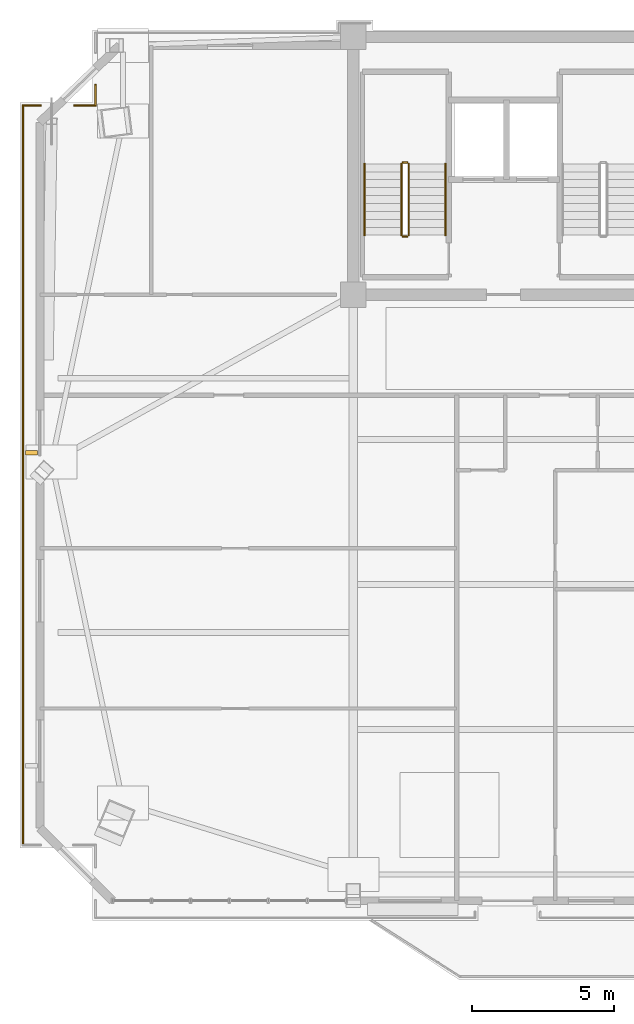
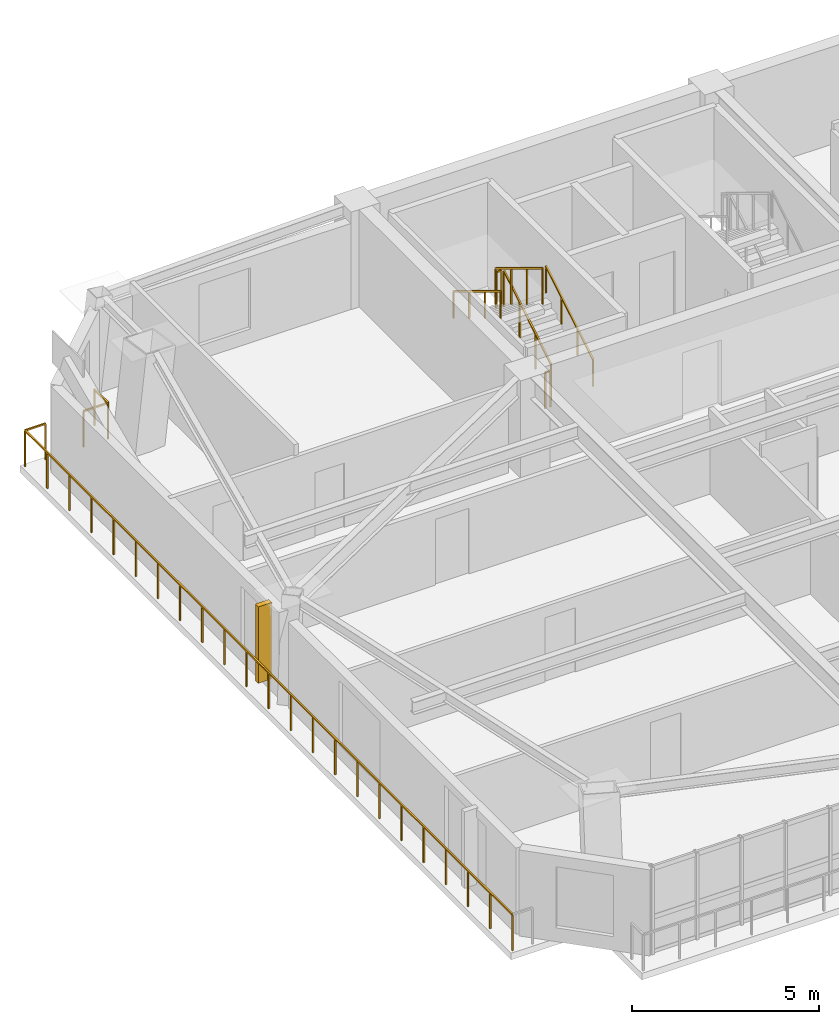
# One storey, part 15 of 18: 10 railings, 1 shading device.
"""IFC4 building model written with IfcOpenShell, lengths in metres."""

from ifc_helpers import new_model, si_unit, direction, frame, origin, origin_2d, place, context, subcontext, project, spatial, rectangle, extrude, source, transform, mapped, material, type_object, element, save


model = new_model("IFC4")

# Units and contexts
model_context = context("Model", 3, precision=1e-05, world=origin(), true_north=direction((0.0, 1.0)))
body_context = subcontext(model_context, "Body", "Model", "MODEL_VIEW")
ifc_project = project(units=[si_unit("LENGTHUNIT", "METRE"), si_unit("AREAUNIT", "SQUARE_METRE"), si_unit("VOLUMEUNIT", "CUBIC_METRE"), si_unit("PLANEANGLEUNIT", "RADIAN"), si_unit("MASSUNIT", "GRAM", prefix="KILO")], contexts=[model_context])

# Site, building, storey
site_placement = place(None, origin())
site = spatial("IfcSite", under=ifc_project, at=site_placement, CompositionType="ELEMENT")
building_placement = place(site_placement, origin())
building = spatial("IfcBuilding", under=site, at=building_placement, Name="Giltprow Tower", CompositionType="ELEMENT")
storey_placement = place(building_placement, frame((0.0, 0.0, 265.5)))
storey = spatial("IfcBuildingStorey", under=building, at=storey_placement, Name="L68", CompositionType="ELEMENT", Elevation=265.5)

# Railings
ifc_material = material(Name="Anodized bronze", Category="metal")
railing_type_1 = type_object("IfcRailingType", Name="RAIL-BALC-GUARD-1200", PredefinedType="BALUSTRADE", material=ifc_material)
railing_1_placement = place(storey_placement, frame((8.178955078125, 18.012939453125, 0.0)))
element("IfcRailing", 1, at=railing_1_placement, inside=storey, type_object=railing_type_1, Name="L68 Corner Apron Edge Balustrade 17", PredefinedType="BALUSTRADE", context=body_context, shape_type="SweptSolid", body=[
    extrude(rectangle(XDim=0.048095703125, YDim=0.048095703125, at=origin_2d()), frame((0.0, 0.0, 1.17578125), z_axis=(0.0, 1.0, 0.0), x_axis=(-1.0, 0.0, 0.0)), (0.0, 0.0, 1.0), 26.116943359375),
    extrude(rectangle(XDim=0.0419921875, YDim=0.0419921875, at=origin_2d()), origin(), (0.0, 0.0, 1.0), 1.15185546875),
    extrude(rectangle(XDim=0.0419921875, YDim=0.0419921875, at=origin_2d()), frame((0.0, 1.18701171875, 0.0)), (0.0, 0.0, 1.0), 1.15185546875),
    extrude(rectangle(XDim=0.0419921875, YDim=0.0419921875, at=origin_2d()), frame((0.0, 2.374267578125, 0.0)), (0.0, 0.0, 1.0), 1.15185546875),
    extrude(rectangle(XDim=0.0419921875, YDim=0.0419921875, at=origin_2d()), frame((0.0, 3.561279296875, 0.0)), (0.0, 0.0, 1.0), 1.15185546875),
    extrude(rectangle(XDim=0.0419921875, YDim=0.0419921875, at=origin_2d()), frame((0.0, 4.74853515625, 0.0)), (0.0, 0.0, 1.0), 1.15185546875),
    extrude(rectangle(XDim=0.0419921875, YDim=0.0419921875, at=origin_2d()), frame((0.0, 5.935546875, 0.0)), (0.0, 0.0, 1.0), 1.15185546875),
    extrude(rectangle(XDim=0.0419921875, YDim=0.0419921875, at=origin_2d()), frame((0.0, 7.122802734375, 0.0)), (0.0, 0.0, 1.0), 1.15185546875),
    extrude(rectangle(XDim=0.0419921875, YDim=0.0419921875, at=origin_2d()), frame((0.0, 8.31005859375, 0.0)), (0.0, 0.0, 1.0), 1.15185546875),
    extrude(rectangle(XDim=0.0419921875, YDim=0.0419921875, at=origin_2d()), frame((0.0, 9.4970703125, 0.0)), (0.0, 0.0, 1.0), 1.15185546875),
    extrude(rectangle(XDim=0.0419921875, YDim=0.0419921875, at=origin_2d()), frame((0.0, 10.68408203125, 0.0)), (0.0, 0.0, 1.0), 1.15185546875),
    extrude(rectangle(XDim=0.0419921875, YDim=0.0419921875, at=origin_2d()), frame((0.0, 11.871337890625, 0.0)), (0.0, 0.0, 1.0), 1.15185546875),
    extrude(rectangle(XDim=0.0419921875, YDim=0.0419921875, at=origin_2d()), frame((0.0, 13.05859375, 0.0)), (0.0, 0.0, 1.0), 1.15185546875),
    extrude(rectangle(XDim=0.0419921875, YDim=0.0419921875, at=origin_2d()), frame((0.0, 14.24560546875, 0.0)), (0.0, 0.0, 1.0), 1.15185546875),
    extrude(rectangle(XDim=0.0419921875, YDim=0.0419921875, at=origin_2d()), frame((0.0, 15.4326171875, 0.0)), (0.0, 0.0, 1.0), 1.15185546875),
    extrude(rectangle(XDim=0.0419921875, YDim=0.0419921875, at=origin_2d()), frame((0.0, 16.619873046875, 0.0)), (0.0, 0.0, 1.0), 1.15185546875),
    extrude(rectangle(XDim=0.0419921875, YDim=0.0419921875, at=origin_2d()), frame((0.0, 17.80712890625, 0.0)), (0.0, 0.0, 1.0), 1.15185546875),
    extrude(rectangle(XDim=0.0419921875, YDim=0.0419921875, at=origin_2d()), frame((0.0, 18.994140625, 0.0)), (0.0, 0.0, 1.0), 1.15185546875),
    extrude(rectangle(XDim=0.0419921875, YDim=0.0419921875, at=origin_2d()), frame((0.0, 20.18115234375, 0.0)), (0.0, 0.0, 1.0), 1.15185546875),
    extrude(rectangle(XDim=0.0419921875, YDim=0.0419921875, at=origin_2d()), frame((0.0, 21.368408203125, 0.0)), (0.0, 0.0, 1.0), 1.15185546875),
    extrude(rectangle(XDim=0.0419921875, YDim=0.0419921875, at=origin_2d()), frame((0.0, 22.5556640625, 0.0)), (0.0, 0.0, 1.0), 1.15185546875),
    extrude(rectangle(XDim=0.0419921875, YDim=0.0419921875, at=origin_2d()), frame((0.0, 23.74267578125, 0.0)), (0.0, 0.0, 1.0), 1.15185546875),
    extrude(rectangle(XDim=0.0419921875, YDim=0.0419921875, at=origin_2d()), frame((0.0, 24.9296875, 0.0)), (0.0, 0.0, 1.0), 1.15185546875),
    extrude(rectangle(XDim=0.0419921875, YDim=0.0419921875, at=origin_2d()), frame((0.0, 26.116943359375, 0.0)), (0.0, 0.0, 1.0), 1.15185546875),
])
railing_2_placement = place(storey_placement, frame((8.178955078125, 44.1298828125, 0.0)))
element("IfcRailing", 2, at=railing_2_placement, inside=storey, type_object=railing_type_1, Name="L68 Corner Apron Edge Balustrade 18", PredefinedType="BALUSTRADE", context=body_context, shape_type="SweptSolid", body=[
    extrude(rectangle(XDim=0.048095703125, YDim=0.048095703125, at=origin_2d()), frame((0.0, 0.0, 1.17578125), z_axis=(1.0, 0.0, 0.0), x_axis=(0.0, 1.0, 0.0)), (0.0, 0.0, 1.0), 0.631103515625),
    extrude(rectangle(XDim=0.0419921875, YDim=0.0419921875, at=origin_2d()), origin(), (0.0, 0.0, 1.0), 1.15185546875),
    extrude(rectangle(XDim=0.0419921875, YDim=0.0419921875, at=origin_2d()), frame((0.631103515625, 0.0, 0.0)), (0.0, 0.0, 1.0), 1.15185546875),
])
railing_3_placement = place(storey_placement, frame((9.990966796875, 44.1298828125, 0.0)))
element("IfcRailing", 3, at=railing_3_placement, inside=storey, type_object=railing_type_1, Name="L68 Corner Apron Edge Balustrade 19", PredefinedType="BALUSTRADE", context=body_context, shape_type="SweptSolid", body=[
    extrude(rectangle(XDim=0.048095703125, YDim=0.048095703125, at=origin_2d()), frame((0.0, 0.0, 1.17578125), z_axis=(1.0, 0.0, 0.0), x_axis=(0.0, 1.0, 0.0)), (0.0, 0.0, 1.0), 0.757080078125),
    extrude(rectangle(XDim=0.0419921875, YDim=0.0419921875, at=origin_2d()), origin(), (0.0, 0.0, 1.0), 1.15185546875),
    extrude(rectangle(XDim=0.0419921875, YDim=0.0419921875, at=origin_2d()), frame((0.757080078125, 0.0, 0.0)), (0.0, 0.0, 1.0), 1.15185546875),
])
railing_4_placement = place(storey_placement, frame((10.748046875, 44.1298828125, 0.0)))
element("IfcRailing", 4, at=railing_4_placement, inside=storey, type_object=railing_type_1, Name="L68 Corner Apron Edge Balustrade 20", PredefinedType="BALUSTRADE", context=body_context, shape_type="SweptSolid", body=[
    extrude(rectangle(XDim=0.048095703125, YDim=0.048095703125, at=origin_2d()), frame((0.0, 0.0, 1.17578125), z_axis=(0.0, 1.0, 0.0), x_axis=(-1.0, 0.0, 0.0)), (0.0, 0.0, 1.0), 0.730224609375),
    extrude(rectangle(XDim=0.0419921875, YDim=0.0419921875, at=origin_2d()), origin(), (0.0, 0.0, 1.0), 1.15185546875),
    extrude(rectangle(XDim=0.0419921875, YDim=0.0419921875, at=origin_2d()), frame((0.0, 0.730224609375, 0.0)), (0.0, 0.0, 1.0), 1.15185546875),
])
railing_type_2 = type_object("IfcRailingType", Name="RAIL-STAIR-GUARD-1200", PredefinedType="GUARDRAIL", material=ifc_material)
railing_5_placement = place(storey_placement, frame((21.81005859375, 39.550048828125, 0.169921875)))
element("IfcRailing", 5, at=railing_5_placement, inside=storey, type_object=railing_type_2, Name="L68 ST-1 stair guard 1", PredefinedType="GUARDRAIL", context=body_context, shape_type="SweptSolid", body=[
    extrude(rectangle(XDim=0.048095703125, YDim=0.048095703125, at=origin_2d()), frame((0.0, 0.0, 1.17578125), z_axis=(0.0, 0.85478489116, 0.518982456201), x_axis=(-1.0, 0.0, 0.0)), (0.0, 0.0, 1.0), 2.9482421875),
    extrude(rectangle(XDim=0.0419921875, YDim=0.0419921875, at=origin_2d()), origin(), (0.0, 0.0, 1.0), 1.15185546875),
    extrude(rectangle(XDim=0.0419921875, YDim=0.0419921875, at=origin_2d()), frame((0.0, 0.840087890625, 0.510009765625)), (0.0, 0.0, 1.0), 1.15185546875),
    extrude(rectangle(XDim=0.0419921875, YDim=0.0419921875, at=origin_2d()), frame((0.0, 1.679931640625, 1.02001953125)), (0.0, 0.0, 1.0), 1.15185546875),
    extrude(rectangle(XDim=0.0419921875, YDim=0.0419921875, at=origin_2d()), frame((0.0, 2.52001953125, 1.530029296875)), (0.0, 0.0, 1.0), 1.15185546875),
])
railing_6_placement = place(storey_placement, frame((21.760009765625, 42.1201171875, 1.699951171875)))
element("IfcRailing", 6, at=railing_6_placement, inside=storey, type_object=railing_type_2, Name="L68 ST-1 stair guard 2", PredefinedType="GUARDRAIL", context=body_context, shape_type="SweptSolid", body=[
    extrude(rectangle(XDim=0.048095703125, YDim=0.048095703125, at=origin_2d()), frame((0.0, 0.0, 1.17578125), z_axis=(-1.0, 0.0, 0.0), x_axis=(0.0, -1.0, 0.0)), (0.0, 0.0, 1.0), 0.159912109375),
    extrude(rectangle(XDim=0.0419921875, YDim=0.0419921875, at=origin_2d()), origin(), (0.0, 0.0, 1.0), 1.15185546875),
    extrude(rectangle(XDim=0.0419921875, YDim=0.0419921875, at=origin_2d()), frame((-0.159912109375, 0.0, 0.0)), (0.0, 0.0, 1.0), 1.15185546875),
])
railing_7_placement = place(storey_placement, frame((21.550048828125, 42.070068359375, 1.8701171875)))
element("IfcRailing", 7, at=railing_7_placement, inside=storey, type_object=railing_type_2, Name="L68 ST-1 stair guard 3", PredefinedType="GUARDRAIL", context=body_context, shape_type="SweptSolid", body=[
    extrude(rectangle(XDim=0.048095703125, YDim=0.048095703125, at=origin_2d()), frame((0.0, 0.0, 1.17578125), z_axis=(0.0, -0.854821627497, 0.518921945155), x_axis=(1.0, 0.0, 0.0)), (0.0, 0.0, 1.0), 2.947998046875),
    extrude(rectangle(XDim=0.0419921875, YDim=0.0419921875, at=origin_2d()), origin(), (0.0, 0.0, 1.0), 1.15185546875),
    extrude(rectangle(XDim=0.0419921875, YDim=0.0419921875, at=origin_2d()), frame((0.0, -0.840087890625, 0.510009765625)), (0.0, 0.0, 1.0), 1.15185546875),
    extrude(rectangle(XDim=0.0419921875, YDim=0.0419921875, at=origin_2d()), frame((0.0, -1.679931640625, 1.019775390625)), (0.0, 0.0, 1.0), 1.15185546875),
    extrude(rectangle(XDim=0.0419921875, YDim=0.0419921875, at=origin_2d()), frame((0.0, -2.52001953125, 1.52978515625)), (0.0, 0.0, 1.0), 1.15185546875),
])
railing_8_placement = place(storey_placement, frame((21.760009765625, 39.5, 0.0)))
element("IfcRailing", 8, at=railing_8_placement, inside=storey, type_object=railing_type_2, Name="L68 ST-1 stair guard 4", PredefinedType="GUARDRAIL", context=body_context, shape_type="SweptSolid", body=[
    extrude(rectangle(XDim=0.048095703125, YDim=0.048095703125, at=origin_2d()), frame((0.0, 0.0, 1.17578125), z_axis=(-1.0, 0.0, 0.0), x_axis=(0.0, -1.0, 0.0)), (0.0, 0.0, 1.0), 0.159912109375),
    extrude(rectangle(XDim=0.0419921875, YDim=0.0419921875, at=origin_2d()), origin(), (0.0, 0.0, 1.0), 1.15185546875),
    extrude(rectangle(XDim=0.0419921875, YDim=0.0419921875, at=origin_2d()), frame((-0.159912109375, 0.0, 0.0)), (0.0, 0.0, 1.0), 1.15185546875),
])
railing_type_3 = type_object("IfcRailingType", Name="RAIL-STAIR-HAND-900", PredefinedType="HANDRAIL", material=ifc_material)
railing_9_placement = place(storey_placement, frame((23.110107421875, 39.550048828125, 0.169921875)))
element("IfcRailing", 9, at=railing_9_placement, inside=storey, type_object=railing_type_3, Name="L68 ST-1 stair handrail 1", PredefinedType="HANDRAIL", context=body_context, shape_type="SweptSolid", body=[
    extrude(rectangle(XDim=0.048095703125, YDim=0.048095703125, at=origin_2d()), frame((0.0, 0.0, 0.8759765625), z_axis=(0.0, 0.85478489116, 0.518982456201), x_axis=(-1.0, 0.0, 0.0)), (0.0, 0.0, 1.0), 2.9482421875),
    extrude(rectangle(XDim=0.0419921875, YDim=0.0419921875, at=origin_2d()), origin(), (0.0, 0.0, 1.0), 0.851806640625),
    extrude(rectangle(XDim=0.0419921875, YDim=0.0419921875, at=origin_2d()), frame((0.0, 0.840087890625, 0.510009765625)), (0.0, 0.0, 1.0), 0.851806640625),
    extrude(rectangle(XDim=0.0419921875, YDim=0.0419921875, at=origin_2d()), frame((0.0, 1.679931640625, 1.02001953125)), (0.0, 0.0, 1.0), 0.851806640625),
    extrude(rectangle(XDim=0.0419921875, YDim=0.0419921875, at=origin_2d()), frame((0.0, 2.52001953125, 1.530029296875)), (0.0, 0.0, 1.0), 0.851806640625),
])
railing_10_placement = place(storey_placement, frame((20.25, 42.070068359375, 1.8701171875)))
element("IfcRailing", 10, at=railing_10_placement, inside=storey, type_object=railing_type_3, Name="L68 ST-1 stair handrail 2", PredefinedType="HANDRAIL", context=body_context, shape_type="SweptSolid", body=[
    extrude(rectangle(XDim=0.048095703125, YDim=0.048095703125, at=origin_2d()), frame((0.0, 0.0, 0.8759765625), z_axis=(0.0, -0.854821627497, 0.518921945155), x_axis=(1.0, 0.0, 0.0)), (0.0, 0.0, 1.0), 2.947998046875),
    extrude(rectangle(XDim=0.0419921875, YDim=0.0419921875, at=origin_2d()), origin(), (0.0, 0.0, 1.0), 0.851806640625),
    extrude(rectangle(XDim=0.0419921875, YDim=0.0419921875, at=origin_2d()), frame((0.0, -0.840087890625, 0.510009765625)), (0.0, 0.0, 1.0), 0.851806640625),
    extrude(rectangle(XDim=0.0419921875, YDim=0.0419921875, at=origin_2d()), frame((0.0, -1.679931640625, 1.019775390625)), (0.0, 0.0, 1.0), 0.851806640625),
    extrude(rectangle(XDim=0.0419921875, YDim=0.0419921875, at=origin_2d()), frame((0.0, -2.52001953125, 1.52978515625)), (0.0, 0.0, 1.0), 0.851806640625),
])

# Shading device
shading_device_type = type_object("IfcShadingDeviceType", Name="SHD-FIN-420", PredefinedType="USERDEFINED", material=ifc_material)
shared_shape = source(origin(), body_context, "Body", "SweptSolid", [
    extrude(rectangle(XDim=0.419921875, YDim=0.159912109375, at=origin_2d()), origin(), (0.0, 0.0, 1.0), 2.5),
])
shading_device_placement = place(storey_placement, frame((8.47900390625, 31.868896484375, 0.35009765625), z_axis=(0.0, 0.0, 1.0), x_axis=(1.0, 0.0, 0.0)))
element("IfcShadingDevice", 11, at=shading_device_placement, inside=storey, type_object=shading_device_type, Name="L68 W Bronze Vertical Fin 2-1", ObjectType="FIN", PredefinedType="USERDEFINED", context=body_context, shape_type="MappedRepresentation", body=[
    mapped(shared_shape, transform((0.0, 0.0, 0.0), x_axis=(1.0, 0.0, 0.0), y_axis=(0.0, 1.0, 0.0), z_axis=(0.0, 0.0, 1.0), scale=1.0)),
])

save(model, "model.ifc")
